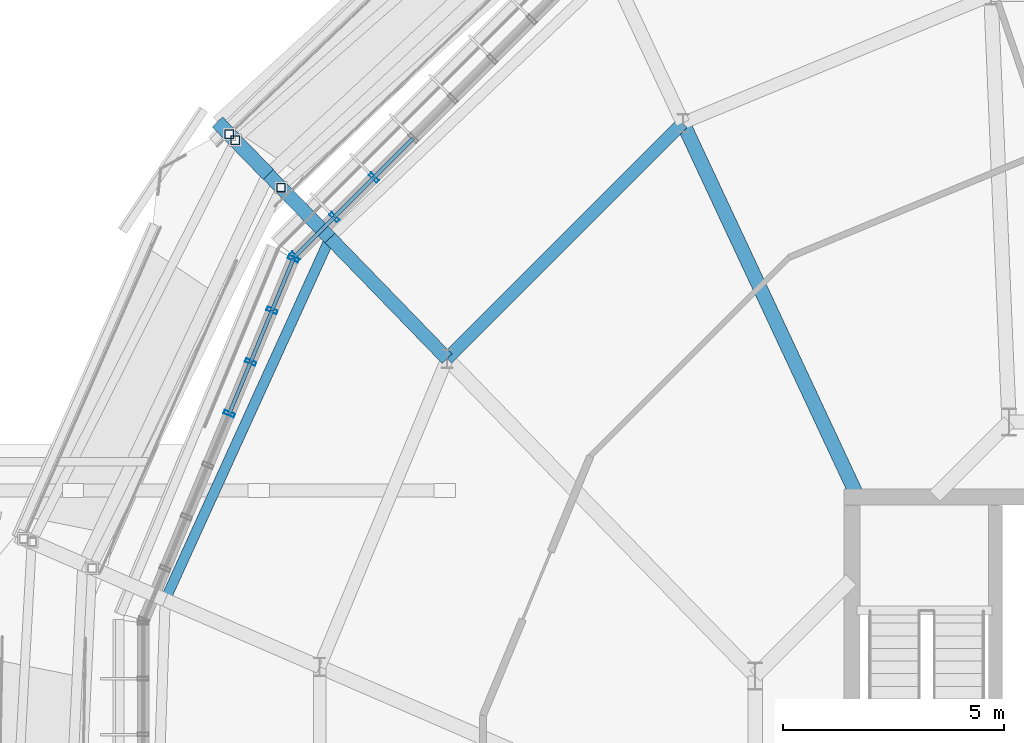
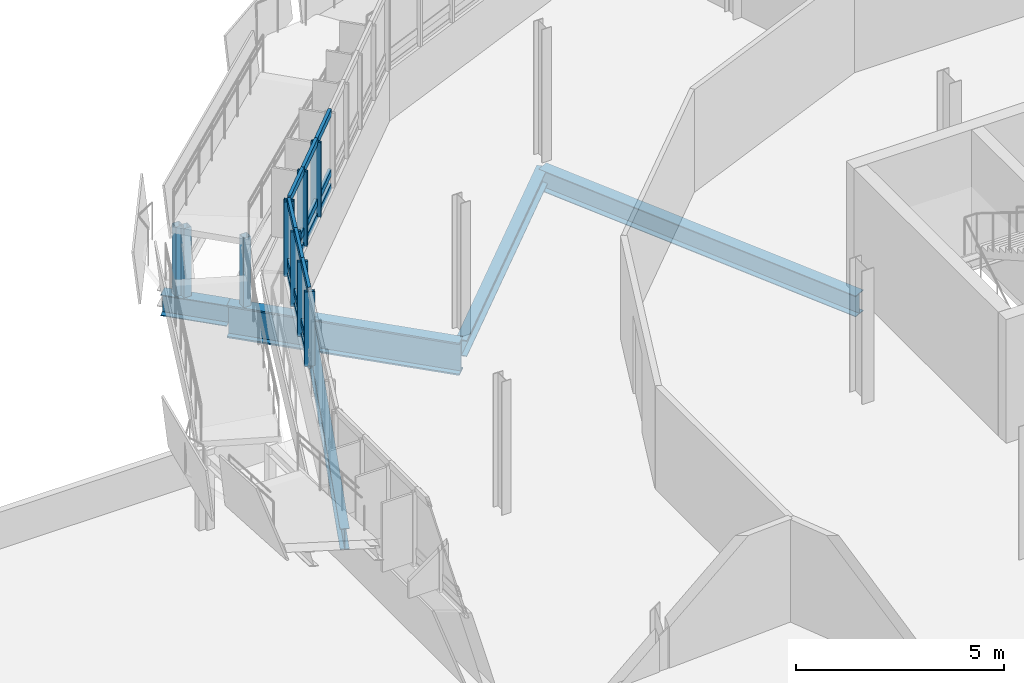
# One storey, part 24 of 61: 28 members, 6 beams, 2 elements without a shape of their own.
"""IFC4 building model written with IfcOpenShell, lengths in metres."""

from ifc_helpers import new_model, si_unit, derived_unit, direction, frame, origin, origin_2d, place, context, subcontext, project, spatial, hollow_rectangle, i_section, extrude, material, layer, layer_set, material_profile, profile_set, type_object, element, aggregate, save


model = new_model("IFC4")

# Units and contexts
model_context = context("Model", 3, precision=1e-05, world=origin(), true_north=direction((0.0, 1.0)))
body_context = subcontext(model_context, "Body", "Model", "MODEL_VIEW")
ifc_project = project(units=[si_unit("LENGTHUNIT", "METRE"), si_unit("AREAUNIT", "SQUARE_METRE"), si_unit("VOLUMEUNIT", "CUBIC_METRE"), si_unit("PLANEANGLEUNIT", "RADIAN"), si_unit("MASSUNIT", "GRAM", prefix="KILO"), derived_unit("THERMALTRANSMITTANCEUNIT", [(si_unit("MASSUNIT", "GRAM", prefix="KILO"), 1), (si_unit("TIMEUNIT", "SECOND"), -3), (si_unit("THERMODYNAMICTEMPERATUREUNIT", "KELVIN"), -1)])], contexts=[model_context])

# Site, building, storey
site_placement = place(None, origin())
site = spatial("IfcSite", under=ifc_project, at=site_placement, CompositionType="ELEMENT")
building_placement = place(site_placement, origin())
building = spatial("IfcBuilding", under=site, at=building_placement, Name="Makaiwela Harbour Ferry Terminal", CompositionType="ELEMENT")
storey_placement = place(building_placement, frame((0.0, 0.0, 13.800048828125)))
storey = spatial("IfcBuildingStorey", under=building, at=storey_placement, Name="L03", CompositionType="ELEMENT", Elevation=13.800048828125)

# Curtain wall, members
ifc_material_1 = material(Name="Marine anodised aluminium 6063-T6", Category="aluminium")
ifc_layer = layer(ifc_material_1, 0.199951171875)
ifc_layer_set = layer_set([ifc_layer], Name="Marine anodised aluminium 6063-T6")
curtain_wall_type = type_object("IfcCurtainWallType", Name="ENV-CW-05", PredefinedType="USERDEFINED", material=ifc_layer_set)
curtain_wall_1_placement = place(storey_placement, origin())
curtain_wall_1 = element("IfcCurtainWall", 1, at=curtain_wall_1_placement, inside=storey, type_object=curtain_wall_type, Name="Unitised Curtain Wall CWA-033", ObjectType="UNITIZED CURTAIN WALL", PredefinedType="USERDEFINED")
ifc_material_profile_1 = material_profile(ifc_material_1, hollow_rectangle(XDim=0.0849609375, YDim=0.25, WallThickness=0.0048828125, at=origin_2d()), Name="CWM-250X85")
ifc_profile_set_1 = profile_set([ifc_material_profile_1], Name="Marine anodised aluminium 6063-T6")
member_type_1 = type_object("IfcMemberType", Name="CW-MUL-250", PredefinedType="MULLION", material=ifc_profile_set_1)
member_1_placement = place(storey_placement, frame((19.39892578125, 82.913330078125, 1.47998046875), z_axis=(0.0, 0.0, 1.0), x_axis=(0.707106781187, 0.707106781187, 0.0)))
member_1 = element("IfcMember", 2, at=member_1_placement, type_object=member_type_1, Name="Curtain Wall Mullion CWA-033-6", PredefinedType="MULLION", context=body_context, shape_type="SweptSolid", body=[
    extrude(hollow_rectangle(XDim=0.0849609375, YDim=0.25, WallThickness=0.0048828125, at=origin_2d()), origin(), (0.0, 0.0, 1.0), 2.179931640625),
])
member_2_placement = place(storey_placement, frame((18.50634765625, 82.020751953125, 1.47998046875), z_axis=(0.0, 0.0, 1.0), x_axis=(0.707106781187, 0.707106781187, 0.0)))
member_2 = element("IfcMember", 3, at=member_2_placement, type_object=member_type_1, Name="Curtain Wall Mullion CWA-033-7", PredefinedType="MULLION", context=body_context, shape_type="SweptSolid", body=[
    extrude(hollow_rectangle(XDim=0.0849609375, YDim=0.25, WallThickness=0.0048828125, at=origin_2d()), origin(), (0.0, 0.0, 1.0), 2.179931640625),
])
member_3_placement = place(storey_placement, frame((17.61376953125, 81.128173828125, 1.47998046875), z_axis=(0.0, 0.0, 1.0), x_axis=(0.707106781187, 0.707106781187, 0.0)))
member_3 = element("IfcMember", 4, at=member_3_placement, type_object=member_type_1, Name="Curtain Wall Mullion CWA-033-8", PredefinedType="MULLION", context=body_context, shape_type="SweptSolid", body=[
    extrude(hollow_rectangle(XDim=0.0849609375, YDim=0.25, WallThickness=0.0048828125, at=origin_2d()), origin(), (0.0, 0.0, 1.0), 2.179931640625),
])

curtain_wall_2_placement = place(storey_placement, origin())
curtain_wall_2 = element("IfcCurtainWall", 5, at=curtain_wall_2_placement, inside=storey, type_object=curtain_wall_type, Name="Unitised Curtain Wall CWA-034", ObjectType="UNITIZED CURTAIN WALL", PredefinedType="USERDEFINED")
member_4_placement = place(storey_placement, frame((17.5810546875, 81.079345703125, 1.47998046875), z_axis=(0.0, 0.0, 1.0), x_axis=(0.382683432365, 0.923879532511, 0.0)))
member_4 = element("IfcMember", 6, at=member_4_placement, type_object=member_type_1, Name="Curtain Wall Mullion CWA-034-1", PredefinedType="MULLION", context=body_context, shape_type="SweptSolid", body=[
    extrude(hollow_rectangle(XDim=0.0849609375, YDim=0.25, WallThickness=0.0048828125, at=origin_2d()), origin(), (0.0, 0.0, 1.0), 2.179931640625),
])
member_5_placement = place(storey_placement, frame((17.097900390625, 79.9130859375, 1.47998046875), z_axis=(0.0, 0.0, 1.0), x_axis=(0.382683432365, 0.923879532511, 0.0)))
member_5 = element("IfcMember", 7, at=member_5_placement, type_object=member_type_1, Name="Curtain Wall Mullion CWA-034-2", PredefinedType="MULLION", context=body_context, shape_type="SweptSolid", body=[
    extrude(hollow_rectangle(XDim=0.0849609375, YDim=0.25, WallThickness=0.0048828125, at=origin_2d()), origin(), (0.0, 0.0, 1.0), 2.179931640625),
])
member_6_placement = place(storey_placement, frame((16.614990234375, 78.746826171875, 1.47998046875), z_axis=(0.0, 0.0, 1.0), x_axis=(0.382683432365, 0.923879532511, 0.0)))
member_6 = element("IfcMember", 8, at=member_6_placement, type_object=member_type_1, Name="Curtain Wall Mullion CWA-034-3", PredefinedType="MULLION", context=body_context, shape_type="SweptSolid", body=[
    extrude(hollow_rectangle(XDim=0.0849609375, YDim=0.25, WallThickness=0.0048828125, at=origin_2d()), origin(), (0.0, 0.0, 1.0), 2.179931640625),
])
member_7_placement = place(storey_placement, frame((16.1318359375, 77.580810546875, 1.47998046875), z_axis=(0.0, 0.0, 1.0), x_axis=(0.382683432365, 0.923879532511, 0.0)))
member_7 = element("IfcMember", 9, at=member_7_placement, type_object=member_type_1, Name="Curtain Wall Mullion CWA-034-4", PredefinedType="MULLION", context=body_context, shape_type="SweptSolid", body=[
    extrude(hollow_rectangle(XDim=0.0849609375, YDim=0.25, WallThickness=0.0048828125, at=origin_2d()), origin(), (0.0, 0.0, 1.0), 2.179931640625),
])

# Member
ifc_material_profile_2 = material_profile(ifc_material_1, hollow_rectangle(XDim=0.0849609375, YDim=0.199951171875, WallThickness=0.0048828125, at=origin_2d()), Name="CWT-200X85")
ifc_profile_set_2 = profile_set([ifc_material_profile_2], Name="Marine anodised aluminium 6063-T6")
member_type_2 = type_object("IfcMemberType", Name="CW-TRN-200", PredefinedType="USERDEFINED", material=ifc_profile_set_2)
member_8_placement = place(storey_placement, frame((20.29150390625, 83.805908203125, 1.47998046875), z_axis=(-0.707106781187, -0.707106781187, 0.0), x_axis=(0.707106781187, -0.707106781187, 0.0)))
member_8 = element("IfcMember", 10, at=member_8_placement, type_object=member_type_2, Name="Curtain Wall Transom CWA-033-5-1", ObjectType="TRANSOM", PredefinedType="USERDEFINED", context=body_context, shape_type="SweptSolid", body=[
    extrude(hollow_rectangle(XDim=0.0849609375, YDim=0.199951171875, WallThickness=0.0048828125, at=origin_2d()), origin(), (0.0, 0.0, 1.0), 1.26220703125),
])

member_9_placement = place(storey_placement, frame((20.29150390625, 83.805908203125, 1.89990234375), z_axis=(-0.707106781187, -0.707106781187, 0.0), x_axis=(0.707106781187, -0.707106781187, 0.0)))
member_9 = element("IfcMember", 11, at=member_9_placement, type_object=member_type_2, Name="Curtain Wall Transom CWA-033-5-2", ObjectType="TRANSOM", PredefinedType="USERDEFINED", context=body_context, shape_type="SweptSolid", body=[
    extrude(hollow_rectangle(XDim=0.0849609375, YDim=0.199951171875, WallThickness=0.0048828125, at=origin_2d()), origin(), (0.0, 0.0, 1.0), 1.26220703125),
])

member_10_placement = place(storey_placement, frame((20.29150390625, 83.805908203125, 3.659912109375), z_axis=(-0.707106781187, -0.707106781187, 0.0), x_axis=(0.707106781187, -0.707106781187, 0.0)))
member_10 = element("IfcMember", 12, at=member_10_placement, type_object=member_type_2, Name="Curtain Wall Transom CWA-033-5-3", ObjectType="TRANSOM", PredefinedType="USERDEFINED", context=body_context, shape_type="SweptSolid", body=[
    extrude(hollow_rectangle(XDim=0.0849609375, YDim=0.199951171875, WallThickness=0.0048828125, at=origin_2d()), origin(), (0.0, 0.0, 1.0), 1.26220703125),
])

member_11_placement = place(storey_placement, frame((19.39892578125, 82.913330078125, 1.47998046875), z_axis=(-0.707106781187, -0.707106781187, 0.0), x_axis=(0.707106781187, -0.707106781187, 0.0)))
member_11 = element("IfcMember", 13, at=member_11_placement, type_object=member_type_2, Name="Curtain Wall Transom CWA-033-6-1", ObjectType="TRANSOM", PredefinedType="USERDEFINED", context=body_context, shape_type="SweptSolid", body=[
    extrude(hollow_rectangle(XDim=0.0849609375, YDim=0.199951171875, WallThickness=0.0048828125, at=origin_2d()), origin(), (0.0, 0.0, 1.0), 1.26220703125),
])

member_12_placement = place(storey_placement, frame((19.39892578125, 82.913330078125, 1.89990234375), z_axis=(-0.707106781187, -0.707106781187, 0.0), x_axis=(0.707106781187, -0.707106781187, 0.0)))
member_12 = element("IfcMember", 14, at=member_12_placement, type_object=member_type_2, Name="Curtain Wall Transom CWA-033-6-2", ObjectType="TRANSOM", PredefinedType="USERDEFINED", context=body_context, shape_type="SweptSolid", body=[
    extrude(hollow_rectangle(XDim=0.0849609375, YDim=0.199951171875, WallThickness=0.0048828125, at=origin_2d()), origin(), (0.0, 0.0, 1.0), 1.26220703125),
])

member_13_placement = place(storey_placement, frame((19.39892578125, 82.913330078125, 3.659912109375), z_axis=(-0.707106781187, -0.707106781187, 0.0), x_axis=(0.707106781187, -0.707106781187, 0.0)))
member_13 = element("IfcMember", 15, at=member_13_placement, type_object=member_type_2, Name="Curtain Wall Transom CWA-033-6-3", ObjectType="TRANSOM", PredefinedType="USERDEFINED", context=body_context, shape_type="SweptSolid", body=[
    extrude(hollow_rectangle(XDim=0.0849609375, YDim=0.199951171875, WallThickness=0.0048828125, at=origin_2d()), origin(), (0.0, 0.0, 1.0), 1.26220703125),
])

member_14_placement = place(storey_placement, frame((18.50634765625, 82.020751953125, 1.47998046875), z_axis=(-0.707106781187, -0.707106781187, 0.0), x_axis=(0.707106781187, -0.707106781187, 0.0)))
member_14 = element("IfcMember", 16, at=member_14_placement, type_object=member_type_2, Name="Curtain Wall Transom CWA-033-7-1", ObjectType="TRANSOM", PredefinedType="USERDEFINED", context=body_context, shape_type="SweptSolid", body=[
    extrude(hollow_rectangle(XDim=0.0849609375, YDim=0.199951171875, WallThickness=0.0048828125, at=origin_2d()), origin(), (0.0, 0.0, 1.0), 1.26220703125),
])

member_15_placement = place(storey_placement, frame((18.50634765625, 82.020751953125, 1.89990234375), z_axis=(-0.707106781187, -0.707106781187, 0.0), x_axis=(0.707106781187, -0.707106781187, 0.0)))
member_15 = element("IfcMember", 17, at=member_15_placement, type_object=member_type_2, Name="Curtain Wall Transom CWA-033-7-2", ObjectType="TRANSOM", PredefinedType="USERDEFINED", context=body_context, shape_type="SweptSolid", body=[
    extrude(hollow_rectangle(XDim=0.0849609375, YDim=0.199951171875, WallThickness=0.0048828125, at=origin_2d()), origin(), (0.0, 0.0, 1.0), 1.26220703125),
])

member_16_placement = place(storey_placement, frame((18.50634765625, 82.020751953125, 3.659912109375), z_axis=(-0.707106781187, -0.707106781187, 0.0), x_axis=(0.707106781187, -0.707106781187, 0.0)))
member_16 = element("IfcMember", 18, at=member_16_placement, type_object=member_type_2, Name="Curtain Wall Transom CWA-033-7-3", ObjectType="TRANSOM", PredefinedType="USERDEFINED", context=body_context, shape_type="SweptSolid", body=[
    extrude(hollow_rectangle(XDim=0.0849609375, YDim=0.199951171875, WallThickness=0.0048828125, at=origin_2d()), origin(), (0.0, 0.0, 1.0), 1.26220703125),
])

aggregate(curtain_wall_1, [member_1, member_2, member_3, member_8, member_9, member_10, member_11, member_12, member_13, member_14, member_15, member_16])

member_17_placement = place(storey_placement, frame((17.5810546875, 81.079345703125, 1.47998046875), z_axis=(-0.38273325349, -0.923858894352, 0.0), x_axis=(0.923858894352, -0.38273325349, 0.0)))
member_17 = element("IfcMember", 19, at=member_17_placement, type_object=member_type_2, Name="Curtain Wall Transom CWA-034-1-1", ObjectType="TRANSOM", PredefinedType="USERDEFINED", context=body_context, shape_type="SweptSolid", body=[
    extrude(hollow_rectangle(XDim=0.0849609375, YDim=0.199951171875, WallThickness=0.0048828125, at=origin_2d()), origin(), (0.0, 0.0, 1.0), 1.262451171875),
])

member_18_placement = place(storey_placement, frame((17.5810546875, 81.079345703125, 1.89990234375), z_axis=(-0.38273325349, -0.923858894352, 0.0), x_axis=(0.923858894352, -0.38273325349, 0.0)))
member_18 = element("IfcMember", 20, at=member_18_placement, type_object=member_type_2, Name="Curtain Wall Transom CWA-034-1-2", ObjectType="TRANSOM", PredefinedType="USERDEFINED", context=body_context, shape_type="SweptSolid", body=[
    extrude(hollow_rectangle(XDim=0.0849609375, YDim=0.199951171875, WallThickness=0.0048828125, at=origin_2d()), origin(), (0.0, 0.0, 1.0), 1.262451171875),
])

member_19_placement = place(storey_placement, frame((17.5810546875, 81.079345703125, 3.659912109375), z_axis=(-0.38273325349, -0.923858894352, 0.0), x_axis=(0.923858894352, -0.38273325349, 0.0)))
member_19 = element("IfcMember", 21, at=member_19_placement, type_object=member_type_2, Name="Curtain Wall Transom CWA-034-1-3", ObjectType="TRANSOM", PredefinedType="USERDEFINED", context=body_context, shape_type="SweptSolid", body=[
    extrude(hollow_rectangle(XDim=0.0849609375, YDim=0.199951171875, WallThickness=0.0048828125, at=origin_2d()), origin(), (0.0, 0.0, 1.0), 1.262451171875),
])

member_20_placement = place(storey_placement, frame((17.097900390625, 79.9130859375, 1.47998046875), z_axis=(-0.382568167619, -0.923927268309, 0.0), x_axis=(0.923927268309, -0.382568167619, 0.0)))
member_20 = element("IfcMember", 22, at=member_20_placement, type_object=member_type_2, Name="Curtain Wall Transom CWA-034-2-1", ObjectType="TRANSOM", PredefinedType="USERDEFINED", context=body_context, shape_type="SweptSolid", body=[
    extrude(hollow_rectangle(XDim=0.0849609375, YDim=0.199951171875, WallThickness=0.0048828125, at=origin_2d()), origin(), (0.0, 0.0, 1.0), 1.26220703125),
])

member_21_placement = place(storey_placement, frame((17.097900390625, 79.9130859375, 1.89990234375), z_axis=(-0.382568167619, -0.923927268309, 0.0), x_axis=(0.923927268309, -0.382568167619, 0.0)))
member_21 = element("IfcMember", 23, at=member_21_placement, type_object=member_type_2, Name="Curtain Wall Transom CWA-034-2-2", ObjectType="TRANSOM", PredefinedType="USERDEFINED", context=body_context, shape_type="SweptSolid", body=[
    extrude(hollow_rectangle(XDim=0.0849609375, YDim=0.199951171875, WallThickness=0.0048828125, at=origin_2d()), origin(), (0.0, 0.0, 1.0), 1.26220703125),
])

member_22_placement = place(storey_placement, frame((17.097900390625, 79.9130859375, 3.659912109375), z_axis=(-0.382568167619, -0.923927268309, 0.0), x_axis=(0.923927268309, -0.382568167619, 0.0)))
member_22 = element("IfcMember", 24, at=member_22_placement, type_object=member_type_2, Name="Curtain Wall Transom CWA-034-2-3", ObjectType="TRANSOM", PredefinedType="USERDEFINED", context=body_context, shape_type="SweptSolid", body=[
    extrude(hollow_rectangle(XDim=0.0849609375, YDim=0.199951171875, WallThickness=0.0048828125, at=origin_2d()), origin(), (0.0, 0.0, 1.0), 1.26220703125),
])

member_23_placement = place(storey_placement, frame((16.614990234375, 78.746826171875, 1.47998046875), z_axis=(-0.382801648306, -0.923830557004, 0.0), x_axis=(0.923830557004, -0.382801648306, 0.0)))
member_23 = element("IfcMember", 25, at=member_23_placement, type_object=member_type_2, Name="Curtain Wall Transom CWA-034-3-1", ObjectType="TRANSOM", PredefinedType="USERDEFINED", context=body_context, shape_type="SweptSolid", body=[
    extrude(hollow_rectangle(XDim=0.0849609375, YDim=0.199951171875, WallThickness=0.0048828125, at=origin_2d()), origin(), (0.0, 0.0, 1.0), 1.26220703125),
])

member_24_placement = place(storey_placement, frame((16.614990234375, 78.746826171875, 1.89990234375), z_axis=(-0.382801648306, -0.923830557004, 0.0), x_axis=(0.923830557004, -0.382801648306, 0.0)))
member_24 = element("IfcMember", 26, at=member_24_placement, type_object=member_type_2, Name="Curtain Wall Transom CWA-034-3-2", ObjectType="TRANSOM", PredefinedType="USERDEFINED", context=body_context, shape_type="SweptSolid", body=[
    extrude(hollow_rectangle(XDim=0.0849609375, YDim=0.199951171875, WallThickness=0.0048828125, at=origin_2d()), origin(), (0.0, 0.0, 1.0), 1.26220703125),
])

member_25_placement = place(storey_placement, frame((16.614990234375, 78.746826171875, 3.659912109375), z_axis=(-0.382801648306, -0.923830557004, 0.0), x_axis=(0.923830557004, -0.382801648306, 0.0)))
member_25 = element("IfcMember", 27, at=member_25_placement, type_object=member_type_2, Name="Curtain Wall Transom CWA-034-3-3", ObjectType="TRANSOM", PredefinedType="USERDEFINED", context=body_context, shape_type="SweptSolid", body=[
    extrude(hollow_rectangle(XDim=0.0849609375, YDim=0.199951171875, WallThickness=0.0048828125, at=origin_2d()), origin(), (0.0, 0.0, 1.0), 1.26220703125),
])

aggregate(curtain_wall_2, [member_4, member_5, member_6, member_7, member_17, member_18, member_19, member_20, member_21, member_22, member_23, member_24, member_25])

# Beams
ifc_material_2 = material(Name="Steel ASTM A992 Grade 50", Category="steel")
ifc_material_profile_3 = material_profile(ifc_material_2, i_section(OverallWidth=0.324951171875, OverallDepth=0.615966796875, WebThickness=0.013916015625, FlangeThickness=0.021484375, at=origin_2d()), Name="W24X117")
ifc_profile_set_3 = profile_set([ifc_material_profile_3], Name="Steel ASTM A992 Grade 50")
beam_type_1 = type_object("IfcBeamType", Name="STR-GRD-W24X117", PredefinedType="USERDEFINED", material=ifc_profile_set_3)
beam_1_placement = place(storey_placement, frame((30.30712890625, 75.739990234375, -0.56298828125), z_axis=(-0.423434085994, 0.905926914722, 0.0), x_axis=(-0.905926914722, -0.423434085994, 0.0)))
element("IfcBeam", 28, at=beam_1_placement, inside=storey, type_object=beam_type_1, Name="Drum radial girder 289", ObjectType="GIRDER", PredefinedType="USERDEFINED", context=body_context, shape_type="SweptSolid", body=[
    extrude(i_section(OverallWidth=0.324951171875, OverallDepth=0.615966796875, WebThickness=0.013916015625, FlangeThickness=0.021484375, at=origin_2d()), origin(), (0.0, 0.0, 1.0), 9.280517578125),
])
beam_2_placement = place(storey_placement, frame((17.013427734375, 82.98486328125, -0.56298828125), z_axis=(-0.696448486815, 0.717606790111, 0.0), x_axis=(-0.717606790111, -0.696448486815, 0.0)))
element("IfcBeam", 29, at=beam_2_placement, inside=storey, type_object=beam_type_1, Name="Promenade terrace bracket 296", ObjectType="GIRDER", PredefinedType="USERDEFINED", context=body_context, shape_type="SweptSolid", body=[
    extrude(i_section(OverallWidth=0.324951171875, OverallDepth=0.615966796875, WebThickness=0.013916015625, FlangeThickness=0.021484375, at=origin_2d()), origin(), (0.0, 0.0, 1.0), 1.650146484375),
])
ifc_material_profile_4 = material_profile(ifc_material_2, i_section(OverallWidth=0.22900390625, OverallDepth=0.612060546875, WebThickness=0.011962890625, FlangeThickness=0.01953125, at=origin_2d()), Name="W24X84")
ifc_profile_set_4 = profile_set([ifc_material_profile_4], Name="Steel ASTM A992 Grade 50")
beam_type_2 = type_object("IfcBeamType", Name="STR-GRD-W24X84", PredefinedType="USERDEFINED", material=ifc_profile_set_4)
beam_3_placement = place(storey_placement, frame((18.40625, 81.549560546875, -0.56103515625), z_axis=(-0.41443577564, -0.910078561372, 0.0), x_axis=(0.910078561372, -0.41443577564, 0.0)))
element("IfcBeam", 30, at=beam_3_placement, inside=storey, type_object=beam_type_2, Name="Drum overhang tie girder 340", ObjectType="GIRDER", PredefinedType="USERDEFINED", context=body_context, shape_type="SweptSolid", body=[
    extrude(i_section(OverallWidth=0.22900390625, OverallDepth=0.612060546875, WebThickness=0.011962890625, FlangeThickness=0.01953125, at=origin_2d()), origin(), (0.0, 0.0, 1.0), 8.980224609375),
])
ifc_material_profile_5 = material_profile(ifc_material_2, i_section(OverallWidth=0.31005859375, OverallDepth=0.949951171875, WebThickness=0.0244140625, FlangeThickness=0.0439453125, at=origin_2d()), Name="W36X256")
ifc_profile_set_5 = profile_set([ifc_material_profile_5], Name="Steel ASTM A992 Grade 50")
beam_type_3 = type_object("IfcBeamType", Name="STR-GRD-W36X256", PredefinedType="USERDEFINED", material=ifc_profile_set_5)
beam_4_placement = place(storey_placement, frame((21.052490234375, 78.822509765625, -0.72998046875), z_axis=(-0.696393637769, 0.717660017888, 0.0), x_axis=(-0.717660017888, -0.696393637769, 0.0)))
element("IfcBeam", 31, at=beam_4_placement, inside=storey, type_object=beam_type_3, Name="Drum radial overhang 294", ObjectType="GIRDER", PredefinedType="USERDEFINED", context=body_context, shape_type="SweptSolid", body=[
    extrude(i_section(OverallWidth=0.31005859375, OverallDepth=0.949951171875, WebThickness=0.0244140625, FlangeThickness=0.0439453125, at=origin_2d()), origin(), (0.0, 0.0, 1.0), 3.7998046875),
])
beam_5_placement = place(storey_placement, frame((18.40625, 81.549560546875, -0.72998046875), z_axis=(-0.696406971539, 0.717647078997, 0.0), x_axis=(-0.717647078997, -0.696406971539, 0.0)))
element("IfcBeam", 32, at=beam_5_placement, inside=storey, type_object=beam_type_3, Name="Drum overhang radial girder 295", ObjectType="GIRDER", PredefinedType="USERDEFINED", context=body_context, shape_type="SweptSolid", body=[
    extrude(i_section(OverallWidth=0.31005859375, OverallDepth=0.949951171875, WebThickness=0.0244140625, FlangeThickness=0.0439453125, at=origin_2d()), origin(), (0.0, 0.0, 1.0), 2.0),
])

# Members
ifc_material_3 = material(Name="Steel ASTM A500 Grade C", Category="steel")
ifc_material_profile_6 = material_profile(ifc_material_3, hollow_rectangle(XDim=0.202880859375, YDim=0.202880859375, WallThickness=0.01171875, at=origin_2d()), Name="HSS8X8X1/2")
ifc_profile_set_6 = profile_set([ifc_material_profile_6], Name="Steel ASTM A500 Grade C")
member_type_3 = type_object("IfcMemberType", Name="STR-PST-HSS8", PredefinedType="POST", material=ifc_profile_set_6)
member_26_placement = place(storey_placement, frame((16.12890625, 83.896240234375, -0.275146484375), z_axis=(0.0, 0.0, 1.0), x_axis=(1.0, 0.0, 0.0)))
element("IfcMember", 33, at=member_26_placement, inside=storey, type_object=member_type_3, Name="Exterior Ramp Support Post RP-0016", PredefinedType="POST", context=body_context, shape_type="SweptSolid", body=[
    extrude(hollow_rectangle(XDim=0.202880859375, YDim=0.202880859375, WallThickness=0.01171875, at=origin_2d()), origin(), (0.0, 0.0, 1.0), 2.05517578125),
])
member_27_placement = place(storey_placement, frame((16.265380859375, 83.755615234375, -0.275146484375), z_axis=(0.0, 0.0, 1.0), x_axis=(1.0, 0.0, 0.0)))
element("IfcMember", 34, at=member_27_placement, inside=storey, type_object=member_type_3, Name="Exterior Ramp Support Post RP-0017", PredefinedType="POST", context=body_context, shape_type="SweptSolid", body=[
    extrude(hollow_rectangle(XDim=0.202880859375, YDim=0.202880859375, WallThickness=0.01171875, at=origin_2d()), origin(), (0.0, 0.0, 1.0), 2.047119140625),
])
member_28_placement = place(storey_placement, frame((17.30029296875, 82.689208984375, -0.275146484375), z_axis=(0.0, 0.0, 1.0), x_axis=(1.0, 0.0, 0.0)))
element("IfcMember", 35, at=member_28_placement, inside=storey, type_object=member_type_3, Name="Exterior Ramp Support Post RP-0026", PredefinedType="POST", context=body_context, shape_type="SweptSolid", body=[
    extrude(hollow_rectangle(XDim=0.202880859375, YDim=0.202880859375, WallThickness=0.01171875, at=origin_2d()), origin(), (0.0, 0.0, 1.0), 2.050048828125),
])

# Beam
ifc_material_profile_7 = material_profile(ifc_material_2, i_section(OverallWidth=0.283935546875, OverallDepth=0.47607421875, WebThickness=0.014892578125, FlangeThickness=0.02392578125, at=origin_2d()), Name="W18X106")
ifc_profile_set_7 = profile_set([ifc_material_profile_7], Name="Steel ASTM A992 Grade 50")
beam_type_4 = type_object("IfcBeamType", Name="STR-SPN-W18X106", PredefinedType="SPANDREL", material=ifc_profile_set_7)
beam_6_placement = place(storey_placement, frame((26.37744140625, 84.1474609375, -0.4931640625), z_axis=(-0.707106781187, -0.707106781187, 0.0), x_axis=(0.707106781187, -0.707106781187, 0.0)))
element("IfcBeam", 36, at=beam_6_placement, inside=storey, type_object=beam_type_4, Name="Drum column ring girder 260", PredefinedType="SPANDREL", context=body_context, shape_type="SweptSolid", body=[
    extrude(i_section(OverallWidth=0.283935546875, OverallDepth=0.47607421875, WebThickness=0.014892578125, FlangeThickness=0.02392578125, at=origin_2d()), origin(), (0.0, 0.0, 1.0), 7.530517578125),
])

save(model, "model.ifc")
